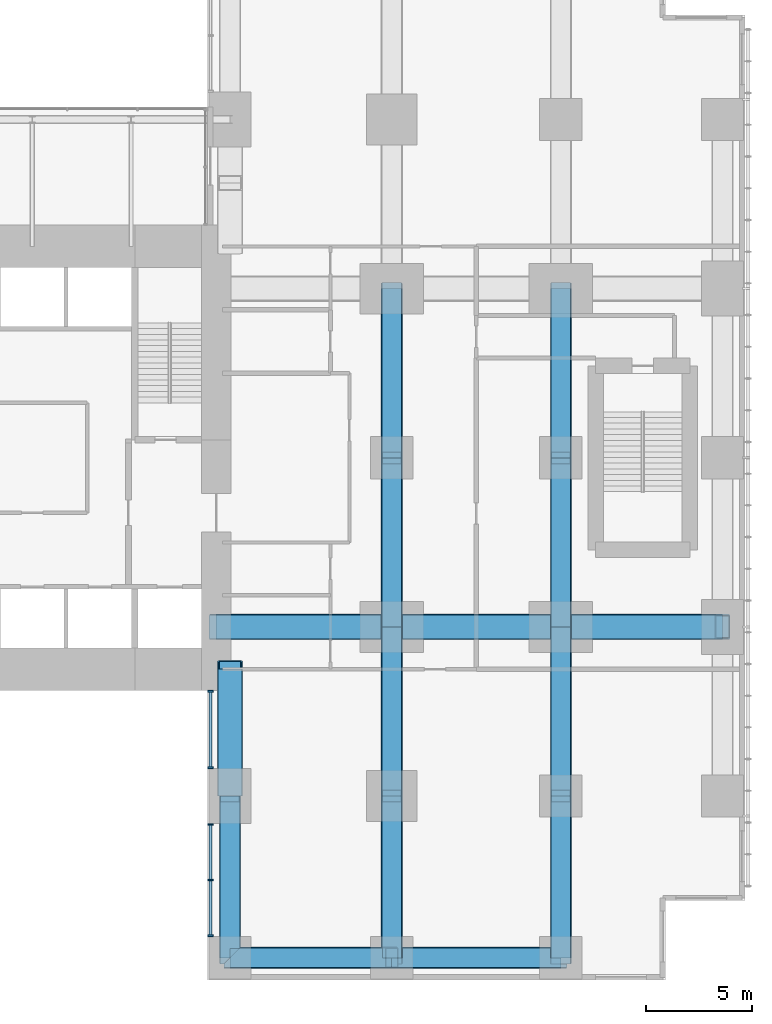
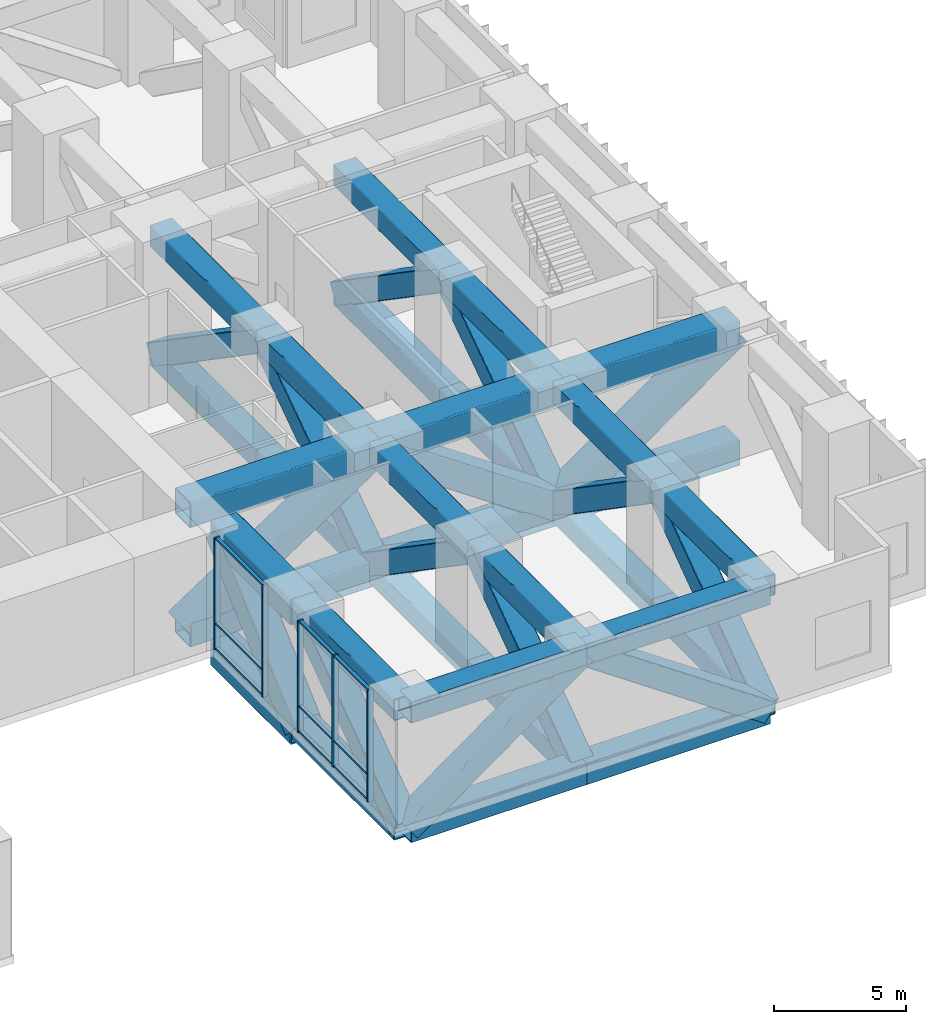
# One storey, part 3 of 17: 59 members, 2 elements without a shape of their own.
"""IFC4 building model written with IfcOpenShell, lengths in metres."""

from ifc_helpers import new_model, si_unit, direction, frame, origin, origin_2d, place, context, subcontext, project, spatial, rectangle, hollow_rectangle, extrude, material, layer, layer_set, material_profile, profile_set, type_object, element, aggregate, save


model = new_model("IFC4")

# Units and contexts
model_context = context("Model", 3, precision=1e-05, world=origin(), true_north=direction((0.0, 1.0)))
body_context = subcontext(model_context, "Body", "Model", "MODEL_VIEW")
ifc_project = project(units=[si_unit("LENGTHUNIT", "METRE"), si_unit("AREAUNIT", "SQUARE_METRE"), si_unit("VOLUMEUNIT", "CUBIC_METRE"), si_unit("PLANEANGLEUNIT", "RADIAN"), si_unit("MASSUNIT", "GRAM", prefix="KILO")], contexts=[model_context])

# Site, building, storey
site_placement = place(None, origin())
site = spatial("IfcSite", under=ifc_project, at=site_placement, CompositionType="ELEMENT")
building_placement = place(site_placement, origin())
building = spatial("IfcBuilding", under=site, at=building_placement, Name="Cleftline Residences", CompositionType="ELEMENT")
storey_placement = place(building_placement, frame((0.0, 0.0, 90.800048828125)))
storey = spatial("IfcBuildingStorey", under=building, at=storey_placement, Name="L23", CompositionType="ELEMENT", Elevation=90.800048828125)

# Members
ifc_material_1 = material(Name="Steel S355", Category="steel")
ifc_material_profile_1 = material_profile(ifc_material_1, hollow_rectangle(XDim=1.0, YDim=1.0, WallThickness=0.0400390625, InnerFilletRadius=0.0400390625, OuterFilletRadius=0.06005859375, at=origin_2d()))
ifc_profile_set_1 = profile_set([ifc_material_profile_1], Name="Steel S355")
member_type_1 = type_object("IfcMemberType", Name="BRACE BOX 1000X1000X40", PredefinedType="BRACE", material=ifc_profile_set_1)
for number, where, z_axis, x_axis, name in (
    (1, (42.35009765625, 0.35009765625, -0.85009765625), (0.0, 0.811933238445, 0.583750303048), (0.0, -0.583750303048, 0.811933238445), "Belt truss diagonal"),
    (2, (50.0, 0.35009765625, -0.85009765625), (0.0, 0.811933238445, 0.583750303048), (0.0, -0.583750303048, 0.811933238445), "Belt truss diagonal"),
):
    element("IfcMember", number, at=place(storey_placement, frame(where, z_axis=z_axis, x_axis=x_axis)), inside=storey, type_object=member_type_1, Name=name, PredefinedType="BRACE", context=body_context, shape_type="SweptSolid", body=[
        extrude(hollow_rectangle(XDim=1.0, YDim=1.0, WallThickness=0.0400390625, InnerFilletRadius=0.0400390625, OuterFilletRadius=0.06005859375, at=origin_2d()), origin(), (0.0, 0.0, 1.0), 9.421875),
    ])
for number, where, z_axis, x_axis, name in (
    (3, (50.0, 8.0, 4.64990234375), (0.0, 0.824041924199, -0.566528822887), (0.0, 0.566528822887, 0.824041924199), "Belt truss diagonal"),
    (4, (50.0, 16.0, -0.85009765625), (0.0, 0.824041924199, 0.566528822887), (0.0, -0.566528822887, 0.824041924199), "Belt truss diagonal"),
    (5, (50.0, 24.0, 4.64990234375), (0.0, 0.824041924199, -0.566528822887), (0.0, 0.566528822887, 0.824041924199), "Belt truss diagonal"),
):
    element("IfcMember", number, at=place(storey_placement, frame(where, z_axis=z_axis, x_axis=x_axis)), inside=storey, type_object=member_type_1, Name=name, PredefinedType="BRACE", context=body_context, shape_type="SweptSolid", body=[
        extrude(hollow_rectangle(XDim=1.0, YDim=1.0, WallThickness=0.0400390625, InnerFilletRadius=0.0400390625, OuterFilletRadius=0.06005859375, at=origin_2d()), origin(), (0.0, 0.0, 1.0), 9.708251953125),
    ])
member_1_placement = place(storey_placement, frame((58.0, 0.35009765625, -0.85009765625), z_axis=(0.0, 0.811933238445, 0.583750303048), x_axis=(0.0, -0.583750303048, 0.811933238445)))
element("IfcMember", 6, at=member_1_placement, inside=storey, type_object=member_type_1, Name="Belt truss diagonal", PredefinedType="BRACE", context=body_context, shape_type="SweptSolid", body=[
    extrude(hollow_rectangle(XDim=1.0, YDim=1.0, WallThickness=0.0400390625, InnerFilletRadius=0.0400390625, OuterFilletRadius=0.06005859375, at=origin_2d()), origin(), (0.0, 0.0, 1.0), 9.421875),
])
for number, where, z_axis, x_axis, name in (
    (7, (58.0, 8.0, 4.64990234375), (0.0, 0.824041924199, -0.566528822887), (0.0, 0.566528822887, 0.824041924199), "Belt truss diagonal"),
    (8, (58.0, 16.0, -0.85009765625), (0.0, 0.824041924199, 0.566528822887), (0.0, -0.566528822887, 0.824041924199), "Belt truss diagonal"),
    (9, (58.0, 24.0, 4.64990234375), (0.0, 0.824041924199, -0.566528822887), (0.0, 0.566528822887, 0.824041924199), "Belt truss diagonal"),
):
    element("IfcMember", number, at=place(storey_placement, frame(where, z_axis=z_axis, x_axis=x_axis)), inside=storey, type_object=member_type_1, Name=name, PredefinedType="BRACE", context=body_context, shape_type="SweptSolid", body=[
        extrude(hollow_rectangle(XDim=1.0, YDim=1.0, WallThickness=0.0400390625, InnerFilletRadius=0.0400390625, OuterFilletRadius=0.06005859375, at=origin_2d()), origin(), (0.0, 0.0, 1.0), 9.708251953125),
    ])
member_2_placement = place(storey_placement, frame((42.35009765625, 0.35009765625, -0.85009765625), z_axis=(0.811933238445, 0.0, 0.583750303048), x_axis=(-0.583750303048, 0.0, 0.811933238445)))
element("IfcMember", 10, at=member_2_placement, inside=storey, type_object=member_type_1, Name="Belt truss diagonal", PredefinedType="BRACE", context=body_context, shape_type="SweptSolid", body=[
    extrude(hollow_rectangle(XDim=1.0, YDim=1.0, WallThickness=0.0400390625, InnerFilletRadius=0.0400390625, OuterFilletRadius=0.06005859375, at=origin_2d()), origin(), (0.0, 0.0, 1.0), 9.421875),
])
member_3_placement = place(storey_placement, frame((50.0, 0.35009765625, 4.64990234375), z_axis=(0.824041924199, 0.0, -0.566528822887), x_axis=(0.566528822887, 0.0, 0.824041924199)))
element("IfcMember", 11, at=member_3_placement, inside=storey, type_object=member_type_1, Name="Belt truss diagonal", PredefinedType="BRACE", context=body_context, shape_type="SweptSolid", body=[
    extrude(hollow_rectangle(XDim=1.0, YDim=1.0, WallThickness=0.0400390625, InnerFilletRadius=0.0400390625, OuterFilletRadius=0.06005859375, at=origin_2d()), origin(), (0.0, 0.0, 1.0), 9.708251953125),
])
ifc_material_2 = material(Name="Steel S355", Category="steel")
ifc_material_profile_2 = material_profile(ifc_material_2, hollow_rectangle(XDim=1.199951171875, YDim=1.199951171875, WallThickness=0.06005859375, InnerFilletRadius=0.06005859375, OuterFilletRadius=0.090087890625, at=origin_2d()))
ifc_profile_set_2 = profile_set([ifc_material_profile_2], Name="Steel S355")
member_type_2 = type_object("IfcMemberType", Name="BRACE BOX 1200X1200X60", PredefinedType="BRACE", material=ifc_profile_set_2)
member_4_placement = place(storey_placement, frame((41.699951171875, 16.0, -0.949951171875), z_axis=(0.833593682581, 0.0, 0.552378106338), x_axis=(-0.552378106338, 0.0, 0.833593682581)))
element("IfcMember", 12, at=member_4_placement, inside=storey, type_object=member_type_2, Name="Outrigger truss diagonal", PredefinedType="BRACE", context=body_context, shape_type="SweptSolid", body=[
    extrude(hollow_rectangle(XDim=1.199951171875, YDim=1.199951171875, WallThickness=0.06005859375, InnerFilletRadius=0.06005859375, OuterFilletRadius=0.090087890625, at=origin_2d()), origin(), (0.0, 0.0, 1.0), 9.95703125),
])
member_5_placement = place(storey_placement, frame((50.0, 16.0, 4.550048828125), z_axis=(0.824041924199, 0.0, -0.566528822887), x_axis=(0.566528822887, 0.0, 0.824041924199)))
element("IfcMember", 13, at=member_5_placement, inside=storey, type_object=member_type_2, Name="Outrigger truss diagonal", PredefinedType="BRACE", context=body_context, shape_type="SweptSolid", body=[
    extrude(hollow_rectangle(XDim=1.199951171875, YDim=1.199951171875, WallThickness=0.06005859375, InnerFilletRadius=0.06005859375, OuterFilletRadius=0.090087890625, at=origin_2d()), origin(), (0.0, 0.0, 1.0), 9.708251953125),
])
member_6_placement = place(storey_placement, frame((58.0, 16.0, -0.949951171875), z_axis=(0.811933238445, 0.0, 0.583750303048), x_axis=(-0.583750303048, 0.0, 0.811933238445)))
element("IfcMember", 14, at=member_6_placement, inside=storey, type_object=member_type_2, Name="Outrigger truss diagonal", PredefinedType="BRACE", context=body_context, shape_type="SweptSolid", body=[
    extrude(hollow_rectangle(XDim=1.199951171875, YDim=1.199951171875, WallThickness=0.06005859375, InnerFilletRadius=0.06005859375, OuterFilletRadius=0.090087890625, at=origin_2d()), origin(), (0.0, 0.0, 1.0), 9.421875),
])
member_7_placement = place(storey_placement, frame((42.35009765625, 8.0, -0.949951171875), z_axis=(0.0, 0.737154140201, 0.675724628517), x_axis=(0.0, -0.675724628517, 0.737154140201)))
element("IfcMember", 15, at=member_7_placement, inside=storey, type_object=member_type_2, Name="Outrigger truss diagonal", PredefinedType="BRACE", context=body_context, shape_type="SweptSolid", body=[
    extrude(hollow_rectangle(XDim=1.199951171875, YDim=1.199951171875, WallThickness=0.06005859375, InnerFilletRadius=0.06005859375, OuterFilletRadius=0.090087890625, at=origin_2d()), origin(), (0.0, 0.0, 1.0), 8.139404296875),
])
ifc_material_3 = material(Name="Steel S355", Category="steel")
ifc_material_profile_3 = material_profile(ifc_material_3, hollow_rectangle(XDim=1.0, YDim=1.0, WallThickness=0.0400390625, InnerFilletRadius=0.0400390625, OuterFilletRadius=0.06005859375, at=origin_2d()))
ifc_profile_set_3 = profile_set([ifc_material_profile_3], Name="Steel S355")
member_type_3 = type_object("IfcMemberType", Name="CHORD BOX 1000X1000X40", PredefinedType="CHORD", material=ifc_profile_set_3)
for number, where, z_axis, x_axis, name in (
    (16, (42.35009765625, 0.35009765625, -0.85009765625), (0.0, 1.0, 0.0), (-1.0, 0.0, 0.0), "Belt truss bottom chord"),
    (17, (42.35009765625, 0.35009765625, 4.64990234375), (0.0, 1.0, 0.0), (-1.0, 0.0, 0.0), "Belt truss top chord"),
    (18, (50.0, 0.35009765625, -0.85009765625), (0.0, 1.0, 0.0), (-1.0, 0.0, 0.0), "Belt truss bottom chord"),
    (19, (50.0, 0.35009765625, 4.64990234375), (0.0, 1.0, 0.0), (-1.0, 0.0, 0.0), "Belt truss top chord"),
):
    element("IfcMember", number, at=place(storey_placement, frame(where, z_axis=z_axis, x_axis=x_axis)), inside=storey, type_object=member_type_3, Name=name, PredefinedType="CHORD", context=body_context, shape_type="SweptSolid", body=[
        extrude(hollow_rectangle(XDim=1.0, YDim=1.0, WallThickness=0.0400390625, InnerFilletRadius=0.0400390625, OuterFilletRadius=0.06005859375, at=origin_2d()), origin(), (0.0, 0.0, 1.0), 7.64990234375),
    ])
for number, where, z_axis, x_axis, name in (
    (20, (50.0, 8.0, -0.85009765625), (0.0, 1.0, 0.0), (-1.0, 0.0, 0.0), "Belt truss bottom chord"),
    (21, (50.0, 8.0, 4.64990234375), (0.0, 1.0, 0.0), (-1.0, 0.0, 0.0), "Belt truss top chord"),
    (22, (50.0, 16.0, -0.85009765625), (0.0, 1.0, 0.0), (-1.0, 0.0, 0.0), "Belt truss bottom chord"),
    (23, (50.0, 16.0, 4.64990234375), (0.0, 1.0, 0.0), (-1.0, 0.0, 0.0), "Belt truss top chord"),
    (24, (50.0, 24.0, -0.85009765625), (0.0, 1.0, 0.0), (-1.0, 0.0, 0.0), "Belt truss bottom chord"),
    (25, (50.0, 24.0, 4.64990234375), (0.0, 1.0, 0.0), (-1.0, 0.0, 0.0), "Belt truss top chord"),
):
    element("IfcMember", number, at=place(storey_placement, frame(where, z_axis=z_axis, x_axis=x_axis)), inside=storey, type_object=member_type_3, Name=name, PredefinedType="CHORD", context=body_context, shape_type="SweptSolid", body=[
        extrude(hollow_rectangle(XDim=1.0, YDim=1.0, WallThickness=0.0400390625, InnerFilletRadius=0.0400390625, OuterFilletRadius=0.06005859375, at=origin_2d()), origin(), (0.0, 0.0, 1.0), 8.0),
    ])
for number, where, z_axis, x_axis, name in (
    (26, (58.0, 0.35009765625, -0.85009765625), (0.0, 1.0, 0.0), (-1.0, 0.0, 0.0), "Belt truss bottom chord"),
    (27, (58.0, 0.35009765625, 4.64990234375), (0.0, 1.0, 0.0), (-1.0, 0.0, 0.0), "Belt truss top chord"),
):
    element("IfcMember", number, at=place(storey_placement, frame(where, z_axis=z_axis, x_axis=x_axis)), inside=storey, type_object=member_type_3, Name=name, PredefinedType="CHORD", context=body_context, shape_type="SweptSolid", body=[
        extrude(hollow_rectangle(XDim=1.0, YDim=1.0, WallThickness=0.0400390625, InnerFilletRadius=0.0400390625, OuterFilletRadius=0.06005859375, at=origin_2d()), origin(), (0.0, 0.0, 1.0), 7.64990234375),
    ])
for number, where, z_axis, x_axis, name in (
    (28, (58.0, 8.0, -0.85009765625), (0.0, 1.0, 0.0), (-1.0, 0.0, 0.0), "Belt truss bottom chord"),
    (29, (58.0, 8.0, 4.64990234375), (0.0, 1.0, 0.0), (-1.0, 0.0, 0.0), "Belt truss top chord"),
    (30, (58.0, 16.0, -0.85009765625), (0.0, 1.0, 0.0), (-1.0, 0.0, 0.0), "Belt truss bottom chord"),
    (31, (58.0, 16.0, 4.64990234375), (0.0, 1.0, 0.0), (-1.0, 0.0, 0.0), "Belt truss top chord"),
    (32, (58.0, 24.0, -0.85009765625), (0.0, 1.0, 0.0), (-1.0, 0.0, 0.0), "Belt truss bottom chord"),
    (33, (58.0, 24.0, 4.64990234375), (0.0, 1.0, 0.0), (-1.0, 0.0, 0.0), "Belt truss top chord"),
):
    element("IfcMember", number, at=place(storey_placement, frame(where, z_axis=z_axis, x_axis=x_axis)), inside=storey, type_object=member_type_3, Name=name, PredefinedType="CHORD", context=body_context, shape_type="SweptSolid", body=[
        extrude(hollow_rectangle(XDim=1.0, YDim=1.0, WallThickness=0.0400390625, InnerFilletRadius=0.0400390625, OuterFilletRadius=0.06005859375, at=origin_2d()), origin(), (0.0, 0.0, 1.0), 8.0),
    ])
for number, where, z_axis, x_axis, name in (
    (34, (42.35009765625, 0.35009765625, -0.85009765625), (1.0, 0.0, 0.0), (0.0, 1.0, 0.0), "Belt truss bottom chord"),
    (35, (42.35009765625, 0.35009765625, 4.64990234375), (1.0, 0.0, 0.0), (0.0, 1.0, 0.0), "Belt truss top chord"),
):
    element("IfcMember", number, at=place(storey_placement, frame(where, z_axis=z_axis, x_axis=x_axis)), inside=storey, type_object=member_type_3, Name=name, PredefinedType="CHORD", context=body_context, shape_type="SweptSolid", body=[
        extrude(hollow_rectangle(XDim=1.0, YDim=1.0, WallThickness=0.0400390625, InnerFilletRadius=0.0400390625, OuterFilletRadius=0.06005859375, at=origin_2d()), origin(), (0.0, 0.0, 1.0), 7.64990234375),
    ])
for number, where, z_axis, x_axis, name in (
    (36, (50.0, 0.35009765625, -0.85009765625), (1.0, 0.0, 0.0), (0.0, 1.0, 0.0), "Belt truss bottom chord"),
    (37, (50.0, 0.35009765625, 4.64990234375), (1.0, 0.0, 0.0), (0.0, 1.0, 0.0), "Belt truss top chord"),
):
    element("IfcMember", number, at=place(storey_placement, frame(where, z_axis=z_axis, x_axis=x_axis)), inside=storey, type_object=member_type_3, Name=name, PredefinedType="CHORD", context=body_context, shape_type="SweptSolid", body=[
        extrude(hollow_rectangle(XDim=1.0, YDim=1.0, WallThickness=0.0400390625, InnerFilletRadius=0.0400390625, OuterFilletRadius=0.06005859375, at=origin_2d()), origin(), (0.0, 0.0, 1.0), 8.0),
    ])
ifc_material_4 = material(Name="Steel S355", Category="steel")
ifc_material_profile_4 = material_profile(ifc_material_4, hollow_rectangle(XDim=1.199951171875, YDim=1.199951171875, WallThickness=0.06005859375, InnerFilletRadius=0.06005859375, OuterFilletRadius=0.090087890625, at=origin_2d()))
ifc_profile_set_4 = profile_set([ifc_material_profile_4], Name="Steel S355")
member_type_4 = type_object("IfcMemberType", Name="CHORD BOX 1200X1200X60", PredefinedType="CHORD", material=ifc_profile_set_4)
for number, where, z_axis, x_axis, name in (
    (38, (41.699951171875, 16.0, -0.949951171875), (1.0, 0.0, 0.0), (0.0, 1.0, 0.0), "Outrigger truss bottom chord"),
    (39, (41.699951171875, 16.0, 4.550048828125), (1.0, 0.0, 0.0), (0.0, 1.0, 0.0), "Outrigger truss top chord"),
):
    element("IfcMember", number, at=place(storey_placement, frame(where, z_axis=z_axis, x_axis=x_axis)), inside=storey, type_object=member_type_4, Name=name, PredefinedType="CHORD", context=body_context, shape_type="SweptSolid", body=[
        extrude(hollow_rectangle(XDim=1.199951171875, YDim=1.199951171875, WallThickness=0.06005859375, InnerFilletRadius=0.06005859375, OuterFilletRadius=0.090087890625, at=origin_2d()), origin(), (0.0, 0.0, 1.0), 8.300048828125),
    ])
for number, where, z_axis, x_axis, name in (
    (40, (50.0, 16.0, -0.949951171875), (1.0, 0.0, 0.0), (0.0, 1.0, 0.0), "Outrigger truss bottom chord"),
    (41, (50.0, 16.0, 4.550048828125), (1.0, 0.0, 0.0), (0.0, 1.0, 0.0), "Outrigger truss top chord"),
):
    element("IfcMember", number, at=place(storey_placement, frame(where, z_axis=z_axis, x_axis=x_axis)), inside=storey, type_object=member_type_4, Name=name, PredefinedType="CHORD", context=body_context, shape_type="SweptSolid", body=[
        extrude(hollow_rectangle(XDim=1.199951171875, YDim=1.199951171875, WallThickness=0.06005859375, InnerFilletRadius=0.06005859375, OuterFilletRadius=0.090087890625, at=origin_2d()), origin(), (0.0, 0.0, 1.0), 8.0),
    ])
for number, where, z_axis, x_axis, name in (
    (42, (58.0, 16.0, -0.949951171875), (1.0, 0.0, 0.0), (0.0, 1.0, 0.0), "Outrigger truss bottom chord"),
    (43, (58.0, 16.0, 4.550048828125), (1.0, 0.0, 0.0), (0.0, 1.0, 0.0), "Outrigger truss top chord"),
):
    element("IfcMember", number, at=place(storey_placement, frame(where, z_axis=z_axis, x_axis=x_axis)), inside=storey, type_object=member_type_4, Name=name, PredefinedType="CHORD", context=body_context, shape_type="SweptSolid", body=[
        extrude(hollow_rectangle(XDim=1.199951171875, YDim=1.199951171875, WallThickness=0.06005859375, InnerFilletRadius=0.06005859375, OuterFilletRadius=0.090087890625, at=origin_2d()), origin(), (0.0, 0.0, 1.0), 7.64990234375),
    ])
for number, where, z_axis, x_axis, name in (
    (44, (42.35009765625, 8.0, -0.949951171875), (0.0, 1.0, 0.0), (-1.0, 0.0, 0.0), "Outrigger truss bottom chord"),
    (45, (42.35009765625, 8.0, 4.550048828125), (0.0, 1.0, 0.0), (-1.0, 0.0, 0.0), "Outrigger truss top chord"),
):
    element("IfcMember", number, at=place(storey_placement, frame(where, z_axis=z_axis, x_axis=x_axis)), inside=storey, type_object=member_type_4, Name=name, PredefinedType="CHORD", context=body_context, shape_type="SweptSolid", body=[
        extrude(hollow_rectangle(XDim=1.199951171875, YDim=1.199951171875, WallThickness=0.06005859375, InnerFilletRadius=0.06005859375, OuterFilletRadius=0.090087890625, at=origin_2d()), origin(), (0.0, 0.0, 1.0), 6.0),
    ])

# Curtain wall, members
ifc_material_5 = material(Name="Aluminium framed louvre screen", Category="aluminium")
ifc_layer = layer(ifc_material_5, 0.25)
ifc_layer_set = layer_set([ifc_layer], Name="CW6 REFUGE LOUVRE SCREEN")
curtain_wall_type = type_object("IfcCurtainWallType", Name="CW6 REFUGE LOUVRE SCREEN", PredefinedType="NOTDEFINED", material=ifc_layer_set)
curtain_wall_1_placement = place(storey_placement, origin())
curtain_wall_1 = element("IfcCurtainWall", 46, at=curtain_wall_1_placement, inside=storey, type_object=curtain_wall_type, Name="Louvre screen CW6", PredefinedType="NOTDEFINED")
ifc_material_6 = material(Name="Aluminium louvre mullion", Category="aluminium")
ifc_material_profile_5 = material_profile(ifc_material_6, rectangle(XDim=0.25, YDim=0.080078125, at=origin_2d()))
ifc_profile_set_5 = profile_set([ifc_material_profile_5], Name="Aluminium louvre mullion")
member_type_5 = type_object("IfcMemberType", Name="CW6 LOUVRE MULLION", PredefinedType="MULLION", material=ifc_profile_set_5)
member_8_placement = place(storey_placement, frame((41.425048828125, 12.9599609375, 0.0), z_axis=(0.0, 0.0, 1.0), x_axis=(1.0, 0.0, 0.0)))
member_8 = element("IfcMember", 47, at=member_8_placement, type_object=member_type_5, Name="CW6 mullion 1", PredefinedType="MULLION", context=body_context, shape_type="SweptSolid", body=[
    extrude(rectangle(XDim=0.25, YDim=0.080078125, at=origin_2d()), origin(), (0.0, 0.0, 1.0), 5.14990234375),
])
member_9_placement = place(storey_placement, frame((41.425048828125, 9.340087890625, 0.0), z_axis=(0.0, 0.0, 1.0), x_axis=(1.0, 0.0, 0.0)))
member_9 = element("IfcMember", 48, at=member_9_placement, type_object=member_type_5, Name="CW6 mullion 2", PredefinedType="MULLION", context=body_context, shape_type="SweptSolid", body=[
    extrude(rectangle(XDim=0.25, YDim=0.080078125, at=origin_2d()), origin(), (0.0, 0.0, 1.0), 5.14990234375),
])

curtain_wall_2_placement = place(storey_placement, origin())
curtain_wall_2 = element("IfcCurtainWall", 49, at=curtain_wall_2_placement, inside=storey, type_object=curtain_wall_type, Name="Louvre screen CW6", PredefinedType="NOTDEFINED")
member_10_placement = place(storey_placement, frame((41.425048828125, 6.659912109375, 0.0), z_axis=(0.0, 0.0, 1.0), x_axis=(1.0, 0.0, 0.0)))
member_10 = element("IfcMember", 50, at=member_10_placement, type_object=member_type_5, Name="CW6 mullion 1", PredefinedType="MULLION", context=body_context, shape_type="SweptSolid", body=[
    extrude(rectangle(XDim=0.25, YDim=0.080078125, at=origin_2d()), origin(), (0.0, 0.0, 1.0), 5.14990234375),
])
member_11_placement = place(storey_placement, frame((41.425048828125, 4.02490234375, 0.0), z_axis=(0.0, 0.0, 1.0), x_axis=(1.0, 0.0, 0.0)))
member_11 = element("IfcMember", 51, at=member_11_placement, type_object=member_type_5, Name="CW6 mullion 2", PredefinedType="MULLION", context=body_context, shape_type="SweptSolid", body=[
    extrude(rectangle(XDim=0.25, YDim=0.080078125, at=origin_2d()), origin(), (0.0, 0.0, 1.0), 5.14990234375),
])
member_12_placement = place(storey_placement, frame((41.425048828125, 1.389892578125, 0.0), z_axis=(0.0, 0.0, 1.0), x_axis=(1.0, 0.0, 0.0)))
member_12 = element("IfcMember", 52, at=member_12_placement, type_object=member_type_5, Name="CW6 mullion 3", PredefinedType="MULLION", context=body_context, shape_type="SweptSolid", body=[
    extrude(rectangle(XDim=0.25, YDim=0.080078125, at=origin_2d()), origin(), (0.0, 0.0, 1.0), 5.14990234375),
])

# Member
ifc_material_7 = material(Name="Aluminium louvre transom", Category="aluminium")
ifc_material_profile_6 = material_profile(ifc_material_7, rectangle(XDim=0.14990234375, YDim=0.080078125, at=origin_2d()))
ifc_profile_set_6 = profile_set([ifc_material_profile_6], Name="Aluminium louvre transom")
member_type_6 = type_object("IfcMemberType", Name="CW6 LOUVRE TRANSOM", PredefinedType="USERDEFINED", material=ifc_profile_set_6)
member_13_placement = place(storey_placement, frame((41.425048828125, 12.919921875, 0.0400390625), z_axis=(0.0, -1.0, 0.0), x_axis=(1.0, 0.0, 0.0)))
member_13 = element("IfcMember", 53, at=member_13_placement, type_object=member_type_6, Name="CW6 transom 1.1", ObjectType="TRANSOM", PredefinedType="USERDEFINED", context=body_context, shape_type="SweptSolid", body=[
    extrude(rectangle(XDim=0.14990234375, YDim=0.080078125, at=origin_2d()), origin(), (0.0, 0.0, 1.0), 3.5400390625),
])

member_14_placement = place(storey_placement, frame((41.425048828125, 12.919921875, 1.199951171875), z_axis=(0.0, -1.0, 0.0), x_axis=(1.0, 0.0, 0.0)))
member_14 = element("IfcMember", 54, at=member_14_placement, type_object=member_type_6, Name="CW6 transom 1.2", ObjectType="TRANSOM", PredefinedType="USERDEFINED", context=body_context, shape_type="SweptSolid", body=[
    extrude(rectangle(XDim=0.14990234375, YDim=0.080078125, at=origin_2d()), origin(), (0.0, 0.0, 1.0), 3.5400390625),
])

member_15_placement = place(storey_placement, frame((41.425048828125, 12.919921875, 5.10986328125), z_axis=(0.0, -1.0, 0.0), x_axis=(1.0, 0.0, 0.0)))
member_15 = element("IfcMember", 55, at=member_15_placement, type_object=member_type_6, Name="CW6 transom 1.3", ObjectType="TRANSOM", PredefinedType="USERDEFINED", context=body_context, shape_type="SweptSolid", body=[
    extrude(rectangle(XDim=0.14990234375, YDim=0.080078125, at=origin_2d()), origin(), (0.0, 0.0, 1.0), 3.5400390625),
])

aggregate(curtain_wall_1, [member_8, member_9, member_13, member_14, member_15])

member_16_placement = place(storey_placement, frame((41.425048828125, 6.6201171875, 0.0400390625), z_axis=(0.0, -1.0, 0.0), x_axis=(1.0, 0.0, 0.0)))
member_16 = element("IfcMember", 56, at=member_16_placement, type_object=member_type_6, Name="CW6 transom 1.1", ObjectType="TRANSOM", PredefinedType="USERDEFINED", context=body_context, shape_type="SweptSolid", body=[
    extrude(rectangle(XDim=0.14990234375, YDim=0.080078125, at=origin_2d()), origin(), (0.0, 0.0, 1.0), 2.55517578125),
])

member_17_placement = place(storey_placement, frame((41.425048828125, 6.6201171875, 1.199951171875), z_axis=(0.0, -1.0, 0.0), x_axis=(1.0, 0.0, 0.0)))
member_17 = element("IfcMember", 57, at=member_17_placement, type_object=member_type_6, Name="CW6 transom 1.2", ObjectType="TRANSOM", PredefinedType="USERDEFINED", context=body_context, shape_type="SweptSolid", body=[
    extrude(rectangle(XDim=0.14990234375, YDim=0.080078125, at=origin_2d()), origin(), (0.0, 0.0, 1.0), 2.55517578125),
])

member_18_placement = place(storey_placement, frame((41.425048828125, 6.6201171875, 5.10986328125), z_axis=(0.0, -1.0, 0.0), x_axis=(1.0, 0.0, 0.0)))
member_18 = element("IfcMember", 58, at=member_18_placement, type_object=member_type_6, Name="CW6 transom 1.3", ObjectType="TRANSOM", PredefinedType="USERDEFINED", context=body_context, shape_type="SweptSolid", body=[
    extrude(rectangle(XDim=0.14990234375, YDim=0.080078125, at=origin_2d()), origin(), (0.0, 0.0, 1.0), 2.55517578125),
])

member_19_placement = place(storey_placement, frame((41.425048828125, 3.985107421875, 0.0400390625), z_axis=(0.0, -1.0, 0.0), x_axis=(1.0, 0.0, 0.0)))
member_19 = element("IfcMember", 59, at=member_19_placement, type_object=member_type_6, Name="CW6 transom 2.1", ObjectType="TRANSOM", PredefinedType="USERDEFINED", context=body_context, shape_type="SweptSolid", body=[
    extrude(rectangle(XDim=0.14990234375, YDim=0.080078125, at=origin_2d()), origin(), (0.0, 0.0, 1.0), 2.55517578125),
])

member_20_placement = place(storey_placement, frame((41.425048828125, 3.985107421875, 1.199951171875), z_axis=(0.0, -1.0, 0.0), x_axis=(1.0, 0.0, 0.0)))
member_20 = element("IfcMember", 60, at=member_20_placement, type_object=member_type_6, Name="CW6 transom 2.2", ObjectType="TRANSOM", PredefinedType="USERDEFINED", context=body_context, shape_type="SweptSolid", body=[
    extrude(rectangle(XDim=0.14990234375, YDim=0.080078125, at=origin_2d()), origin(), (0.0, 0.0, 1.0), 2.55517578125),
])

member_21_placement = place(storey_placement, frame((41.425048828125, 3.985107421875, 5.10986328125), z_axis=(0.0, -1.0, 0.0), x_axis=(1.0, 0.0, 0.0)))
member_21 = element("IfcMember", 61, at=member_21_placement, type_object=member_type_6, Name="CW6 transom 2.3", ObjectType="TRANSOM", PredefinedType="USERDEFINED", context=body_context, shape_type="SweptSolid", body=[
    extrude(rectangle(XDim=0.14990234375, YDim=0.080078125, at=origin_2d()), origin(), (0.0, 0.0, 1.0), 2.55517578125),
])

aggregate(curtain_wall_2, [member_10, member_11, member_12, member_16, member_17, member_18, member_19, member_20, member_21])

save(model, "model.ifc")
